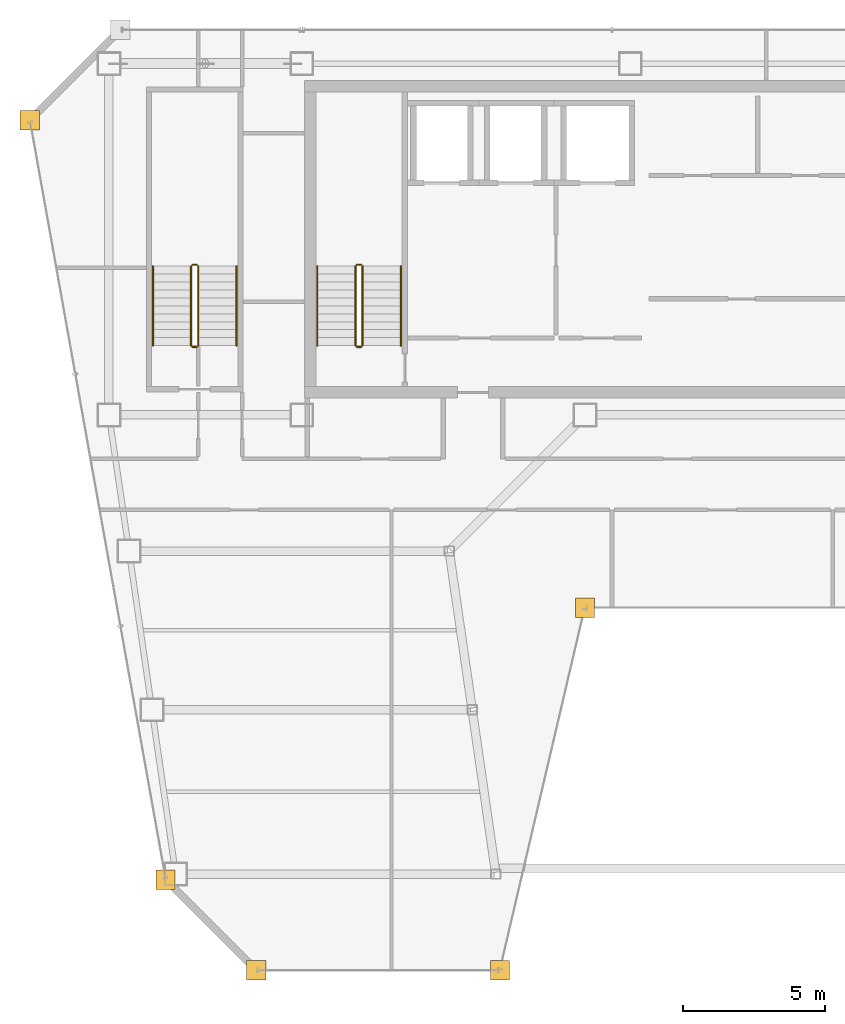
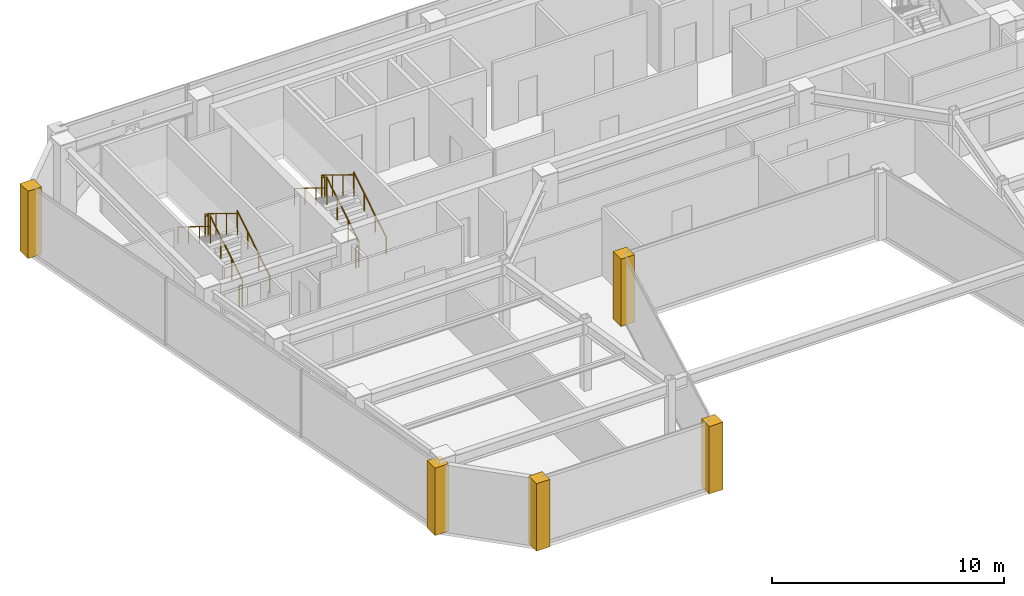
# One storey, part 30 of 32: 12 railings, 5 coverings.
"""IFC4 building model written with IfcOpenShell, lengths in metres."""

from ifc_helpers import new_model, si_unit, direction, frame, origin, origin_2d, place, context, subcontext, project, spatial, polyline, circle, outline, extrude, material, layer, layer_set, type_object, element, save


model = new_model("IFC4")

# Units and contexts
model_context = context("Model", 3, precision=1e-05, world=origin(), true_north=direction((0.0, 1.0)))
body_context = subcontext(model_context, "Body", "Model", "MODEL_VIEW")
ifc_project = project(units=[si_unit("LENGTHUNIT", "METRE"), si_unit("AREAUNIT", "SQUARE_METRE"), si_unit("VOLUMEUNIT", "CUBIC_METRE"), si_unit("PLANEANGLEUNIT", "RADIAN"), si_unit("MASSUNIT", "GRAM", prefix="KILO")], contexts=[model_context])

# Site, building, storey
site_placement = place(None, origin())
site = spatial("IfcSite", under=ifc_project, at=site_placement, CompositionType="ELEMENT")
building_placement = place(site_placement, origin())
building = spatial("IfcBuilding", under=site, at=building_placement, Name="Saevonmaru Cultural Tower", CompositionType="ELEMENT")
storey_placement = place(building_placement, frame((0.0, 0.0, 257.199951171875)))
storey = spatial("IfcBuildingStorey", under=building, at=storey_placement, Name="L60", CompositionType="ELEMENT", Elevation=257.199951171875)

# Coverings
ifc_material_1 = material(Name="Satin Bronze Anodised Aluminium", Category="aluminium")
ifc_layer = layer(ifc_material_1, 0.679931640625, Name="Satin Bronze Anodised Aluminium")
ifc_layer_set = layer_set([ifc_layer], Name="Satin Bronze Anodised Aluminium")
covering_type = type_object("IfcCoveringType", Name="CV-CORNER-CLAD", PredefinedType="CLADDING", material=ifc_layer_set)
covering_1_placement = place(storey_placement, origin())
element("IfcCovering", 1, at=covering_1_placement, inside=storey, type_object=covering_type, Name="L60 Tower Bronze Corner Cladding Pier 1", PredefinedType="CLADDING", context=body_context, shape_type="SweptSolid", body=[
    extrude(outline(polyline([(8.4560546875, 25.659912109375), (9.135986328125, 25.659912109375), (9.135986328125, 26.340087890625), (8.4560546875, 26.340087890625), (8.4560546875, 25.659912109375)])), origin(), (0.0, 0.0, 1.0), 3.550048828125),
])
covering_2_placement = place(storey_placement, origin())
element("IfcCovering", 2, at=covering_2_placement, inside=storey, type_object=covering_type, Name="L60 Tower Bronze Corner Cladding Pier 2", PredefinedType="CLADDING", context=body_context, shape_type="SweptSolid", body=[
    extrude(outline(polyline([(11.656005859375, 22.4599609375), (12.3359375, 22.4599609375), (12.3359375, 23.139892578125), (11.656005859375, 23.139892578125), (11.656005859375, 22.4599609375)])), origin(), (0.0, 0.0, 1.0), 3.550048828125),
])
covering_3_placement = place(storey_placement, origin())
element("IfcCovering", 3, at=covering_3_placement, inside=storey, type_object=covering_type, Name="L60 Tower Bronze Corner Cladding Pier 3", PredefinedType="CLADDING", context=body_context, shape_type="SweptSolid", body=[
    extrude(outline(polyline([(20.256103515625, 22.4599609375), (20.93603515625, 22.4599609375), (20.93603515625, 23.139892578125), (20.256103515625, 23.139892578125), (20.256103515625, 22.4599609375)])), origin(), (0.0, 0.0, 1.0), 3.550048828125),
])
covering_4_placement = place(storey_placement, origin())
element("IfcCovering", 4, at=covering_4_placement, inside=storey, type_object=covering_type, Name="L60 Tower Bronze Corner Cladding Pier 4", PredefinedType="CLADDING", context=body_context, shape_type="SweptSolid", body=[
    extrude(outline(polyline([(23.256103515625, 35.260009765625), (23.93603515625, 35.260009765625), (23.93603515625, 35.93994140625), (23.256103515625, 35.93994140625), (23.256103515625, 35.260009765625)])), origin(), (0.0, 0.0, 1.0), 3.550048828125),
])
covering_5_placement = place(storey_placement, origin())
element("IfcCovering", 5, at=covering_5_placement, inside=storey, type_object=covering_type, Name="L60 Tower Bronze Corner Cladding Pier 12", PredefinedType="CLADDING", context=body_context, shape_type="SweptSolid", body=[
    extrude(outline(polyline([(3.659912109375, 52.4599609375), (4.340087890625, 52.4599609375), (4.340087890625, 53.139892578125), (3.659912109375, 53.139892578125), (3.659912109375, 52.4599609375)])), origin(), (0.0, 0.0, 1.0), 3.550048828125),
])

# Railings
ifc_material_2 = material(Name="Architectural Painted Steel", Category="steel")
railing_type_1 = type_object("IfcRailingType", Name="RL-STAIR-GUARD", PredefinedType="GUARDRAIL", material=ifc_material_2)
railing_1_placement = place(storey_placement, frame((15.75, 44.85009765625, 0.1728515625)))
element("IfcRailing", 6, at=railing_1_placement, inside=storey, type_object=railing_type_1, Name="L60 ST-1 stair guard 1", PredefinedType="GUARDRAIL", context=body_context, shape_type="SweptSolid", body=[
    extrude(circle(Radius=0.02392578125, at=origin_2d()), frame((0.0, 0.0, 1.09619140625), z_axis=(0.0, 0.851069175582, 0.525053576669), x_axis=(-1.0, 0.0, 0.0)), (0.0, 0.0, 1.0), 3.289794921875),
    extrude(circle(Radius=0.02099609375, at=origin_2d()), origin(), (0.0, 0.0, 1.0), 1.072021484375),
    extrude(circle(Radius=0.02099609375, at=origin_2d()), frame((0.0, 0.933349609375, 0.57568359375)), (0.0, 0.0, 1.0), 1.072021484375),
    extrude(circle(Radius=0.02099609375, at=origin_2d()), frame((0.0, 1.866455078125, 1.151611328125)), (0.0, 0.0, 1.0), 1.072021484375),
    extrude(circle(Radius=0.02099609375, at=origin_2d()), frame((0.0, 2.7998046875, 1.727294921875)), (0.0, 0.0, 1.0), 1.072021484375),
])
railing_2_placement = place(storey_placement, frame((15.699951171875, 47.699951171875, 1.900146484375)))
element("IfcRailing", 7, at=railing_2_placement, inside=storey, type_object=railing_type_1, Name="L60 ST-1 stair guard 2", PredefinedType="GUARDRAIL", context=body_context, shape_type="SweptSolid", body=[
    extrude(circle(Radius=0.02392578125, at=origin_2d()), frame((0.0, 0.0, 1.09619140625), z_axis=(-1.0, 0.0, 0.0), x_axis=(0.0, -1.0, 0.0)), (0.0, 0.0, 1.0), 0.14990234375),
    extrude(circle(Radius=0.02099609375, at=origin_2d()), origin(), (0.0, 0.0, 1.0), 1.072021484375),
    extrude(circle(Radius=0.02099609375, at=origin_2d()), frame((-0.14990234375, 0.0, 0.0)), (0.0, 0.0, 1.0), 1.072021484375),
])
railing_3_placement = place(storey_placement, frame((15.5, 47.64990234375, 2.07275390625)))
element("IfcRailing", 8, at=railing_3_placement, inside=storey, type_object=railing_type_1, Name="L60 ST-1 stair guard 3", PredefinedType="GUARDRAIL", context=body_context, shape_type="SweptSolid", body=[
    extrude(circle(Radius=0.02392578125, at=origin_2d()), frame((0.0, 0.0, 1.09619140625), z_axis=(0.0, -0.851069175582, 0.525053576669), x_axis=(1.0, 0.0, 0.0)), (0.0, 0.0, 1.0), 3.289794921875),
    extrude(circle(Radius=0.02099609375, at=origin_2d()), origin(), (0.0, 0.0, 1.0), 1.072021484375),
    extrude(circle(Radius=0.02099609375, at=origin_2d()), frame((0.0, -0.933349609375, 0.57568359375)), (0.0, 0.0, 1.0), 1.072021484375),
    extrude(circle(Radius=0.02099609375, at=origin_2d()), frame((0.0, -1.866455078125, 1.151611328125)), (0.0, 0.0, 1.0), 1.072021484375),
    extrude(circle(Radius=0.02099609375, at=origin_2d()), frame((0.0, -2.7998046875, 1.727294921875)), (0.0, 0.0, 1.0), 1.072021484375),
])
railing_4_placement = place(storey_placement, frame((15.699951171875, 44.800048828125, 0.0)))
element("IfcRailing", 9, at=railing_4_placement, inside=storey, type_object=railing_type_1, Name="L60 ST-1 stair guard 4", PredefinedType="GUARDRAIL", context=body_context, shape_type="SweptSolid", body=[
    extrude(circle(Radius=0.02392578125, at=origin_2d()), frame((0.0, 0.0, 1.09619140625), z_axis=(-1.0, 0.0, 0.0), x_axis=(0.0, -1.0, 0.0)), (0.0, 0.0, 1.0), 0.14990234375),
    extrude(circle(Radius=0.02099609375, at=origin_2d()), origin(), (0.0, 0.0, 1.0), 1.072021484375),
    extrude(circle(Radius=0.02099609375, at=origin_2d()), frame((-0.14990234375, 0.0, 0.0)), (0.0, 0.0, 1.0), 1.072021484375),
])
railing_5_placement = place(storey_placement, frame((9.949951171875, 44.85009765625, 0.1728515625)))
element("IfcRailing", 10, at=railing_5_placement, inside=storey, type_object=railing_type_1, Name="L60 ST-3 stair guard 1", PredefinedType="GUARDRAIL", context=body_context, shape_type="SweptSolid", body=[
    extrude(circle(Radius=0.02392578125, at=origin_2d()), frame((0.0, 0.0, 1.09619140625), z_axis=(0.0, 0.851069175582, 0.525053576669), x_axis=(-1.0, 0.0, 0.0)), (0.0, 0.0, 1.0), 3.289794921875),
    extrude(circle(Radius=0.02099609375, at=origin_2d()), origin(), (0.0, 0.0, 1.0), 1.072021484375),
    extrude(circle(Radius=0.02099609375, at=origin_2d()), frame((0.0, 0.933349609375, 0.57568359375)), (0.0, 0.0, 1.0), 1.072021484375),
    extrude(circle(Radius=0.02099609375, at=origin_2d()), frame((0.0, 1.866455078125, 1.151611328125)), (0.0, 0.0, 1.0), 1.072021484375),
    extrude(circle(Radius=0.02099609375, at=origin_2d()), frame((0.0, 2.7998046875, 1.727294921875)), (0.0, 0.0, 1.0), 1.072021484375),
])
railing_6_placement = place(storey_placement, frame((9.89990234375, 47.699951171875, 1.900146484375)))
element("IfcRailing", 11, at=railing_6_placement, inside=storey, type_object=railing_type_1, Name="L60 ST-3 stair guard 2", PredefinedType="GUARDRAIL", context=body_context, shape_type="SweptSolid", body=[
    extrude(circle(Radius=0.02392578125, at=origin_2d()), frame((0.0, 0.0, 1.09619140625), z_axis=(-1.0, 0.0, 0.0), x_axis=(0.0, -1.0, 0.0)), (0.0, 0.0, 1.0), 0.14990234375),
    extrude(circle(Radius=0.02099609375, at=origin_2d()), origin(), (0.0, 0.0, 1.0), 1.072021484375),
    extrude(circle(Radius=0.02099609375, at=origin_2d()), frame((-0.14990234375, 0.0, 0.0)), (0.0, 0.0, 1.0), 1.072021484375),
])
railing_7_placement = place(storey_placement, frame((9.699951171875, 47.64990234375, 2.07275390625)))
element("IfcRailing", 12, at=railing_7_placement, inside=storey, type_object=railing_type_1, Name="L60 ST-3 stair guard 3", PredefinedType="GUARDRAIL", context=body_context, shape_type="SweptSolid", body=[
    extrude(circle(Radius=0.02392578125, at=origin_2d()), frame((0.0, 0.0, 1.09619140625), z_axis=(0.0, -0.851069175582, 0.525053576669), x_axis=(1.0, 0.0, 0.0)), (0.0, 0.0, 1.0), 3.289794921875),
    extrude(circle(Radius=0.02099609375, at=origin_2d()), origin(), (0.0, 0.0, 1.0), 1.072021484375),
    extrude(circle(Radius=0.02099609375, at=origin_2d()), frame((0.0, -0.933349609375, 0.57568359375)), (0.0, 0.0, 1.0), 1.072021484375),
    extrude(circle(Radius=0.02099609375, at=origin_2d()), frame((0.0, -1.866455078125, 1.151611328125)), (0.0, 0.0, 1.0), 1.072021484375),
    extrude(circle(Radius=0.02099609375, at=origin_2d()), frame((0.0, -2.7998046875, 1.727294921875)), (0.0, 0.0, 1.0), 1.072021484375),
])
railing_8_placement = place(storey_placement, frame((9.89990234375, 44.800048828125, 0.0)))
element("IfcRailing", 13, at=railing_8_placement, inside=storey, type_object=railing_type_1, Name="L60 ST-3 stair guard 4", PredefinedType="GUARDRAIL", context=body_context, shape_type="SweptSolid", body=[
    extrude(circle(Radius=0.02392578125, at=origin_2d()), frame((0.0, 0.0, 1.09619140625), z_axis=(-1.0, 0.0, 0.0), x_axis=(0.0, -1.0, 0.0)), (0.0, 0.0, 1.0), 0.14990234375),
    extrude(circle(Radius=0.02099609375, at=origin_2d()), origin(), (0.0, 0.0, 1.0), 1.072021484375),
    extrude(circle(Radius=0.02099609375, at=origin_2d()), frame((-0.14990234375, 0.0, 0.0)), (0.0, 0.0, 1.0), 1.072021484375),
])
railing_type_2 = type_object("IfcRailingType", Name="RL-STAIR-HANDRAIL", PredefinedType="HANDRAIL", material=ifc_material_1)
railing_9_placement = place(storey_placement, frame((17.10009765625, 44.85009765625, 0.1728515625)))
element("IfcRailing", 14, at=railing_9_placement, inside=storey, type_object=railing_type_2, Name="L60 ST-1 stair handrail 1", PredefinedType="HANDRAIL", context=body_context, shape_type="SweptSolid", body=[
    extrude(circle(Radius=0.02392578125, at=origin_2d()), frame((0.0, 0.0, 0.8759765625), z_axis=(0.0, 0.851069175582, 0.525053576669), x_axis=(-1.0, 0.0, 0.0)), (0.0, 0.0, 1.0), 3.289794921875),
    extrude(circle(Radius=0.02099609375, at=origin_2d()), origin(), (0.0, 0.0, 1.0), 0.851806640625),
    extrude(circle(Radius=0.02099609375, at=origin_2d()), frame((0.0, 0.933349609375, 0.57568359375)), (0.0, 0.0, 1.0), 0.851806640625),
    extrude(circle(Radius=0.02099609375, at=origin_2d()), frame((0.0, 1.866455078125, 1.151611328125)), (0.0, 0.0, 1.0), 0.851806640625),
    extrude(circle(Radius=0.02099609375, at=origin_2d()), frame((0.0, 2.7998046875, 1.727294921875)), (0.0, 0.0, 1.0), 0.851806640625),
])
railing_10_placement = place(storey_placement, frame((14.14990234375, 47.64990234375, 2.07275390625)))
element("IfcRailing", 15, at=railing_10_placement, inside=storey, type_object=railing_type_2, Name="L60 ST-1 stair handrail 2", PredefinedType="HANDRAIL", context=body_context, shape_type="SweptSolid", body=[
    extrude(circle(Radius=0.02392578125, at=origin_2d()), frame((0.0, 0.0, 0.8759765625), z_axis=(0.0, -0.851069175582, 0.525053576669), x_axis=(1.0, 0.0, 0.0)), (0.0, 0.0, 1.0), 3.289794921875),
    extrude(circle(Radius=0.02099609375, at=origin_2d()), origin(), (0.0, 0.0, 1.0), 0.851806640625),
    extrude(circle(Radius=0.02099609375, at=origin_2d()), frame((0.0, -0.933349609375, 0.57568359375)), (0.0, 0.0, 1.0), 0.851806640625),
    extrude(circle(Radius=0.02099609375, at=origin_2d()), frame((0.0, -1.866455078125, 1.151611328125)), (0.0, 0.0, 1.0), 0.851806640625),
    extrude(circle(Radius=0.02099609375, at=origin_2d()), frame((0.0, -2.7998046875, 1.727294921875)), (0.0, 0.0, 1.0), 0.851806640625),
])
railing_11_placement = place(storey_placement, frame((11.300048828125, 44.85009765625, 0.1728515625)))
element("IfcRailing", 16, at=railing_11_placement, inside=storey, type_object=railing_type_2, Name="L60 ST-3 stair handrail 1", PredefinedType="HANDRAIL", context=body_context, shape_type="SweptSolid", body=[
    extrude(circle(Radius=0.02392578125, at=origin_2d()), frame((0.0, 0.0, 0.8759765625), z_axis=(0.0, 0.851069175582, 0.525053576669), x_axis=(-1.0, 0.0, 0.0)), (0.0, 0.0, 1.0), 3.289794921875),
    extrude(circle(Radius=0.02099609375, at=origin_2d()), origin(), (0.0, 0.0, 1.0), 0.851806640625),
    extrude(circle(Radius=0.02099609375, at=origin_2d()), frame((0.0, 0.933349609375, 0.57568359375)), (0.0, 0.0, 1.0), 0.851806640625),
    extrude(circle(Radius=0.02099609375, at=origin_2d()), frame((0.0, 1.866455078125, 1.151611328125)), (0.0, 0.0, 1.0), 0.851806640625),
    extrude(circle(Radius=0.02099609375, at=origin_2d()), frame((0.0, 2.7998046875, 1.727294921875)), (0.0, 0.0, 1.0), 0.851806640625),
])
railing_12_placement = place(storey_placement, frame((8.35009765625, 47.64990234375, 2.07275390625)))
element("IfcRailing", 17, at=railing_12_placement, inside=storey, type_object=railing_type_2, Name="L60 ST-3 stair handrail 2", PredefinedType="HANDRAIL", context=body_context, shape_type="SweptSolid", body=[
    extrude(circle(Radius=0.02392578125, at=origin_2d()), frame((0.0, 0.0, 0.8759765625), z_axis=(0.0, -0.851069175582, 0.525053576669), x_axis=(1.0, 0.0, 0.0)), (0.0, 0.0, 1.0), 3.289794921875),
    extrude(circle(Radius=0.02099609375, at=origin_2d()), origin(), (0.0, 0.0, 1.0), 0.851806640625),
    extrude(circle(Radius=0.02099609375, at=origin_2d()), frame((0.0, -0.933349609375, 0.57568359375)), (0.0, 0.0, 1.0), 0.851806640625),
    extrude(circle(Radius=0.02099609375, at=origin_2d()), frame((0.0, -1.866455078125, 1.151611328125)), (0.0, 0.0, 1.0), 0.851806640625),
    extrude(circle(Radius=0.02099609375, at=origin_2d()), frame((0.0, -2.7998046875, 1.727294921875)), (0.0, 0.0, 1.0), 0.851806640625),
])

save(model, "model.ifc")
